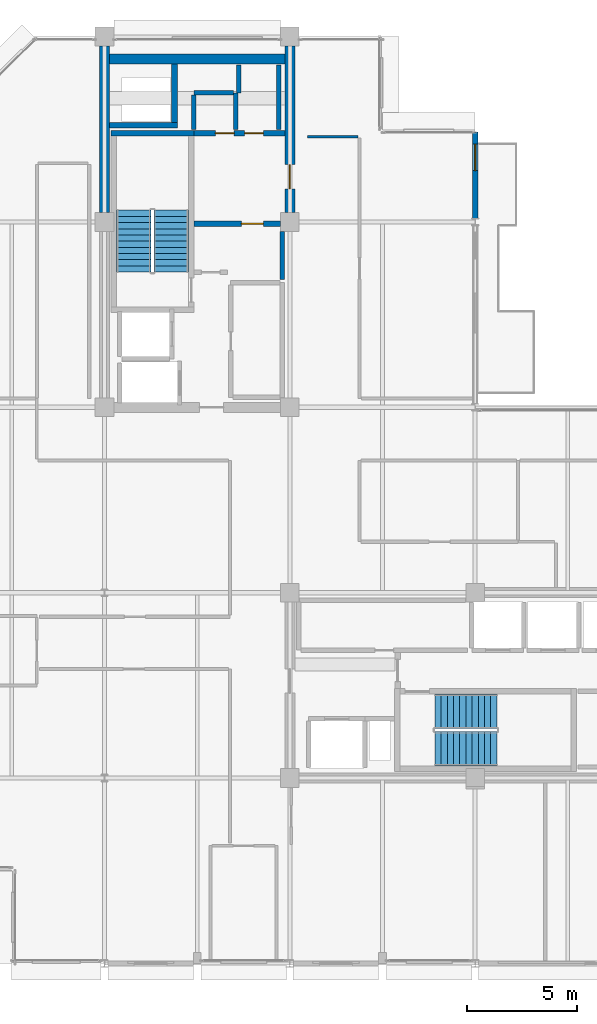
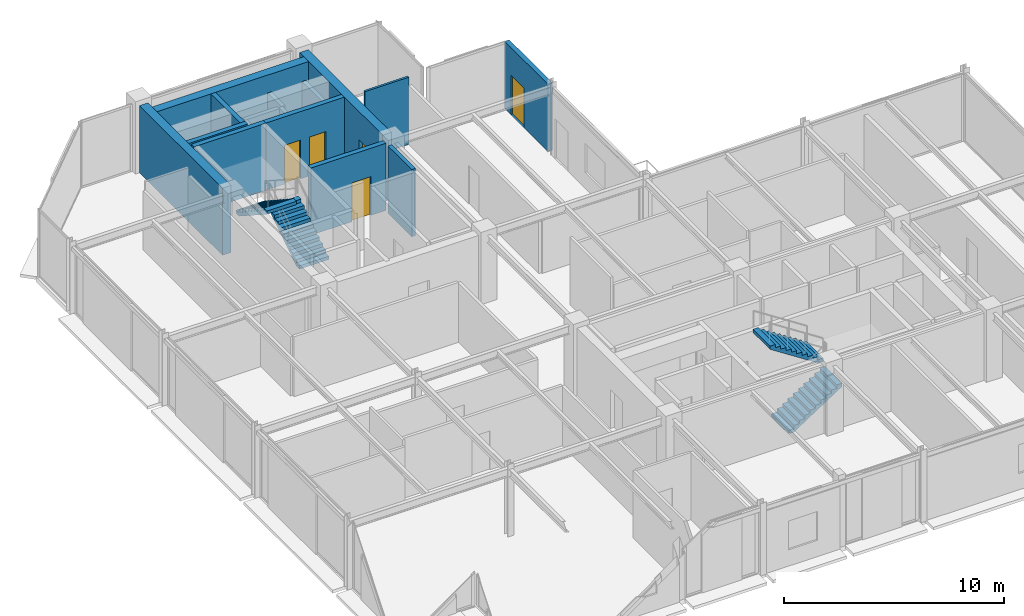
# One storey, part 23 of 27: 16 walls, 5 doors, 4 stair flights, 5 openings, 2 elements without a shape of their own.
"""IFC4 building model written with IfcOpenShell, lengths in metres."""

from ifc_helpers import new_model, si_unit, direction, frame, frame_2d, origin, place, context, subcontext, project, spatial, polyline, rectangle, outline, extrude, material, layer, layer_set, type_object, element, fill, aggregate, save


model = new_model("IFC4")

# Units and contexts
model_context = context("Model", 3, precision=1e-05, world=origin(), true_north=direction((0.0, 1.0)))
body_context = subcontext(model_context, "Body", "Model", "MODEL_VIEW")
ifc_project = project(units=[si_unit("LENGTHUNIT", "METRE"), si_unit("AREAUNIT", "SQUARE_METRE"), si_unit("VOLUMEUNIT", "CUBIC_METRE"), si_unit("PLANEANGLEUNIT", "RADIAN"), si_unit("MASSUNIT", "GRAM", prefix="KILO")], contexts=[model_context])

# Site, building, storey
site_placement = place(None, origin())
site = spatial("IfcSite", under=ifc_project, at=site_placement, CompositionType="ELEMENT")
building_placement = place(site_placement, origin())
building = spatial("IfcBuilding", under=site, at=building_placement, Name="Nerrivon Quay Data Exchange", CompositionType="ELEMENT")
storey_placement = place(building_placement, frame((0.0, 0.0, 266.199951171875)))
storey = spatial("IfcBuildingStorey", under=building, at=storey_placement, Name="L63", CompositionType="ELEMENT", Elevation=266.199951171875)

# Wall, opening, door
ifc_material_1 = material(Name="Architectural terracotta precast concrete N50 (50 MPa)", Category="masonry")
ifc_layer_1 = layer(ifc_material_1, 0.239990234375)
ifc_layer_set_1 = layer_set([ifc_layer_1], Name="Architectural terracotta precast concrete N50 (50 MPa)")
wall_type_1 = type_object("IfcWallType", Name="EW-PREC-240", PredefinedType="STANDARD", material=ifc_layer_set_1)
wall_1_placement = place(storey_placement, frame((25.199951171875, 37.679931640625, 0.0), z_axis=(0.0, 0.0, 1.0), x_axis=(0.0, -1.0, 0.0)))
wall_1 = element("IfcWall", 1, at=wall_1_placement, inside=storey, type_object=wall_type_1, Name="L63 Terrace Host Wall 22", PredefinedType="STANDARD", context=body_context, shape_type="SweptSolid", body=[
    extrude(rectangle(XDim=3.91650390625, YDim=0.239990234375, at=frame_2d((1.958251953125, 0.0))), origin(), (0.0, 0.0, 1.0), 3.72509765625),
])
opening_1_placement = place(wall_1_placement, frame((0.550048828125, 0.0, 0.0)))
opening_1 = element("IfcOpeningElement", 2, at=opening_1_placement, cuts=wall_1, Name="Opening TD1", PredefinedType="OPENING", context=body_context, shape_type="SweptSolid", body=[
    extrude(rectangle(XDim=1.199951171875, YDim=2.199951171875, at=frame_2d((0.60009765625, 1.10009765625))), frame((0.0, 0.1298828125, 0.0), z_axis=(0.0, -1.0, 0.0), x_axis=(1.0, 0.0, 0.0)), (0.0, 0.0, 1.0), 0.260009765625),
])
ifc_material_2 = material(Name="Double-glazed low-E solar control glass", Category="glass")
door_type_1 = type_object("IfcDoorType", Name="DR-TERR-1200x2200", OperationType="NOTDEFINED", PredefinedType="DOOR", material=ifc_material_2)
door_1_placement = place(opening_1_placement, origin())
door_1 = element("IfcDoor", 3, at=door_1_placement, inside=storey, type_object=door_type_1, Name="L63 Outdoor Terrace Access Door 22", OperationType="SINGLE_SWING_LEFT", OverallHeight=2.199951171875, OverallWidth=1.199951171875, PredefinedType="DOOR", context=body_context, shape_type="SweptSolid", body=[
    extrude(rectangle(XDim=1.199951171875, YDim=2.199951171875, at=frame_2d((0.60009765625, 1.10009765625))), frame((0.0, 0.02490234375, 0.0), z_axis=(0.0, -1.0, 0.0), x_axis=(1.0, 0.0, 0.0)), (0.0, 0.0, 1.0), 0.050048828125),
])
fill(opening_1, door_1)

# Walls
ifc_material_3 = material(Name="Concrete N50 (50 MPa)", Category="concrete")
ifc_layer_2 = layer(ifc_material_3, 0.449951171875)
ifc_layer_set_2 = layer_set([ifc_layer_2], Name="Concrete N50 (50 MPa)")
wall_type_2 = type_object("IfcWallType", Name="WALL-CW-550", PredefinedType="SHEAR", material=ifc_layer_set_2)
wall_2_placement = place(storey_placement, frame((8.39990234375, 34.02490234375, 0.0), z_axis=(0.0, 0.0, 1.0), x_axis=(0.0, 1.0, 0.0)))
element("IfcWall", 4, at=wall_2_placement, inside=storey, type_object=wall_type_2, Name="L63 West Split-Core Shear Wall WCW-W2", PredefinedType="SHEAR", context=body_context, shape_type="SweptSolid", body=[
    extrude(rectangle(XDim=7.550048828125, YDim=0.449951171875, at=frame_2d((3.77490234375, 0.0))), origin(), (0.0, 0.0, 1.0), 3.72509765625),
])
wall_3_placement = place(storey_placement, frame((8.625, 40.97509765625, 0.0), z_axis=(0.0, 0.0, 1.0), x_axis=(1.0, 0.0, 0.0)))
element("IfcWall", 5, at=wall_3_placement, inside=storey, type_object=wall_type_2, Name="L63 West Split-Core Shear Wall WCW-N1", PredefinedType="SHEAR", context=body_context, shape_type="SweptSolid", body=[
    extrude(rectangle(XDim=7.949951171875, YDim=0.449951171875, at=frame_2d((3.97509765625, 0.0))), origin(), (0.0, 0.0, 1.0), 3.72509765625),
])

# Wall, opening, door
wall_4_placement = place(storey_placement, frame((16.800048828125, 34.02490234375, 0.0), z_axis=(0.0, 0.0, 1.0), x_axis=(0.0, 1.0, 0.0)))
wall_4 = element("IfcWall", 6, at=wall_4_placement, inside=storey, type_object=wall_type_2, Name="L63 West Split-Core Shear Wall WCW-E1", PredefinedType="SHEAR", context=body_context, shape_type="SweptSolid", body=[
    extrude(rectangle(XDim=7.550048828125, YDim=0.449951171875, at=frame_2d((3.77490234375, 0.0))), origin(), (0.0, 0.0, 1.0), 3.72509765625),
])
opening_2_placement = place(wall_4_placement, frame((1.074951171875, 0.0, 0.0)))
opening_2 = element("IfcOpeningElement", 7, at=opening_2_placement, cuts=wall_4, Name="Opening FD-120", PredefinedType="OPENING", context=body_context, shape_type="SweptSolid", body=[
    extrude(rectangle(XDim=1.10009765625, YDim=2.14990234375, at=frame_2d((0.550048828125, 1.074951171875))), frame((0.0, 0.23486328125, 0.0), z_axis=(0.0, -1.0, 0.0), x_axis=(1.0, 0.0, 0.0)), (0.0, 0.0, 1.0), 0.469970703125),
])
ifc_material_4 = material(Name="Powder-coated galvanized steel sheet", Category="steel")
door_type_2 = type_object("IfcDoorType", Name="DR-FD120-1100", OperationType="NOTDEFINED", PredefinedType="DOOR", material=ifc_material_4)
door_2_placement = place(opening_2_placement, origin())
door_2 = element("IfcDoor", 8, at=door_2_placement, inside=storey, type_object=door_type_2, Name="L63 West Core Lobby Fire Door", OperationType="SINGLE_SWING_LEFT", OverallHeight=2.14990234375, OverallWidth=1.10009765625, PredefinedType="DOOR", context=body_context, shape_type="SweptSolid", body=[
    extrude(rectangle(XDim=1.10009765625, YDim=2.14990234375, at=frame_2d((0.550048828125, 1.074951171875))), frame((0.0, 0.02490234375, 0.0), z_axis=(0.0, -1.0, 0.0), x_axis=(1.0, 0.0, 0.0)), (0.0, 0.0, 1.0), 0.050048828125),
])
fill(opening_2, door_2)

# Walls
ifc_material_5 = material(Name="Gypsum plasterboard on cold-formed framing", Category="gypsum")
ifc_layer_3 = layer(ifc_material_5, 0.199951171875)
ifc_layer_set_3 = layer_set([ifc_layer_3], Name="Gypsum plasterboard on cold-formed framing")
wall_type_3 = type_object("IfcWallType", Name="WALL-FW-200", PredefinedType="PARTITIONING", material=ifc_layer_set_3)
wall_5_placement = place(storey_placement, frame((16.449951171875, 31.0, 0.0), z_axis=(0.0, 0.0, 1.0), x_axis=(0.0, 1.0, 0.0)))
element("IfcWall", 9, at=wall_5_placement, inside=storey, type_object=wall_type_3, Name="L63 Partition Core Equipment Closet", PredefinedType="PARTITIONING", context=body_context, shape_type="SweptSolid", body=[
    extrude(rectangle(XDim=2.169921875, YDim=0.199951171875, at=frame_2d((1.0849609375, 0.0))), origin(), (0.0, 0.0, 1.0), 3.72509765625),
])
wall_6_placement = place(storey_placement, frame((14.35009765625, 37.780029296875, 0.0), z_axis=(0.0, 0.0, 1.0), x_axis=(0.0, 1.0, 0.0)))
element("IfcWall", 10, at=wall_6_placement, inside=storey, type_object=wall_type_3, Name="L63 Partition Equipment Store", PredefinedType="PARTITIONING", context=body_context, shape_type="SweptSolid", body=[
    extrude(rectangle(XDim=1.669921875, YDim=0.199951171875, at=frame_2d((0.8349609375, 0.0))), origin(), (0.0, 0.0, 1.0), 2.775146484375),
])
wall_7_placement = place(storey_placement, frame((14.24609375, 39.449951171875, 0.0), z_axis=(0.0, 0.0, 1.0), x_axis=(-1.0, 0.0, 0.0)))
element("IfcWall", 11, at=wall_7_placement, inside=storey, type_object=wall_type_3, Name="L63 Partition Equipment Store", PredefinedType="PARTITIONING", context=body_context, shape_type="SweptSolid", body=[
    extrude(rectangle(XDim=1.796142578125, YDim=0.199951171875, at=frame_2d((0.89794921875, 0.0))), origin(), (0.0, 0.0, 1.0), 2.775146484375),
])
wall_8_placement = place(storey_placement, frame((12.449951171875, 39.345947265625, 0.0), z_axis=(0.0, 0.0, 1.0), x_axis=(0.0, -1.0, 0.0)))
element("IfcWall", 12, at=wall_8_placement, inside=storey, type_object=wall_type_3, Name="L63 Partition Equipment Store", PredefinedType="PARTITIONING", context=body_context, shape_type="SweptSolid", body=[
    extrude(rectangle(XDim=1.56591796875, YDim=0.199951171875, at=frame_2d((0.782958984375, 0.0))), origin(), (0.0, 0.0, 1.0), 2.775146484375),
])
wall_9_placement = place(storey_placement, frame((16.300048828125, 37.780029296875, 0.0), z_axis=(0.0, 0.0, 1.0), x_axis=(0.0, 1.0, 0.0)))
element("IfcWall", 13, at=wall_9_placement, inside=storey, type_object=wall_type_3, Name="L63 Partition Cleaners Store", PredefinedType="PARTITIONING", context=body_context, shape_type="SweptSolid", body=[
    extrude(rectangle(XDim=2.919921875, YDim=0.199951171875, at=frame_2d((1.4599609375, 0.0))), origin(), (0.0, 0.0, 1.0), 2.775146484375),
])
wall_10_placement = place(storey_placement, frame((14.489990234375, 40.699951171875, 0.0), z_axis=(0.0, 0.0, 1.0), x_axis=(0.0, -1.0, 0.0)))
element("IfcWall", 14, at=wall_10_placement, inside=storey, type_object=wall_type_3, Name="L63 Partition Cleaners Store", PredefinedType="PARTITIONING", context=body_context, shape_type="SweptSolid", body=[
    extrude(rectangle(XDim=1.25, YDim=0.199951171875, at=frame_2d((0.625, 0.0))), origin(), (0.0, 0.0, 1.0), 2.775146484375),
])
ifc_layer_4 = layer(ifc_material_5, 0.1201171875)
ifc_layer_set_4 = layer_set([ifc_layer_4], Name="Gypsum plasterboard on cold-formed framing")
wall_type_4 = type_object("IfcWallType", Name="WALL-PT-120", PredefinedType="PARTITIONING", material=ifc_layer_set_4)
wall_11_placement = place(storey_placement, frame((17.60009765625, 37.4599609375, 0.0), z_axis=(0.0, 0.0, 1.0), x_axis=(1.0, 0.0, 0.0)))
element("IfcWall", 15, at=wall_11_placement, inside=storey, type_object=wall_type_4, Name="L63 Partition Technical Library", PredefinedType="PARTITIONING", context=body_context, shape_type="SweptSolid", body=[
    extrude(rectangle(XDim=2.2998046875, YDim=0.1201171875, at=frame_2d((1.14990234375, 0.0))), origin(), (0.0, 0.0, 1.0), 3.72509765625),
])
ifc_layer_5 = layer(ifc_material_3, 0.25)
ifc_layer_set_5 = layer_set([ifc_layer_5], Name="Concrete N50 (50 MPa)")
wall_type_5 = type_object("IfcWallType", Name="WALL-SW-250", PredefinedType="SHEAR", material=ifc_layer_set_5)
wall_12_placement = place(storey_placement, frame((12.449951171875, 37.625, 0.0), z_axis=(0.0, 0.0, 1.0), x_axis=(-1.0, 0.0, 0.0)))
element("IfcWall", 16, at=wall_12_placement, inside=storey, type_object=wall_type_5, Name="L63 ST01 Structural Stair Core Wall FAR", PredefinedType="SHEAR", context=body_context, shape_type="SweptSolid", body=[
    extrude(rectangle(XDim=3.75, YDim=0.25, at=frame_2d((1.875, 0.0))), origin(), (0.0, 0.0, 1.0), 3.72509765625),
])
wall_13_placement = place(storey_placement, frame((8.625, 37.97509765625, 0.0), z_axis=(0.0, 0.0, 1.0), x_axis=(1.0, 0.0, 0.0)))
element("IfcWall", 17, at=wall_13_placement, inside=storey, type_object=wall_type_5, Name="L63 West Core MEP Riser Shaft Wall S", PredefinedType="SHEAR", context=body_context, shape_type="SweptSolid", body=[
    extrude(rectangle(XDim=3.074951171875, YDim=0.25, at=frame_2d((1.53759765625, 0.0))), origin(), (0.0, 0.0, 1.0), 3.72509765625),
])
wall_14_placement = place(storey_placement, frame((11.574951171875, 38.10009765625, 0.0), z_axis=(0.0, 0.0, 1.0), x_axis=(0.0, 1.0, 0.0)))
element("IfcWall", 18, at=wall_14_placement, inside=storey, type_object=wall_type_5, Name="L63 West Core MEP Riser Shaft Wall E", PredefinedType="SHEAR", context=body_context, shape_type="SweptSolid", body=[
    extrude(rectangle(XDim=2.64990234375, YDim=0.25, at=frame_2d((1.324951171875, 0.0))), origin(), (0.0, 0.0, 1.0), 3.72509765625),
])

# Wall, opening, door
wall_15_placement = place(storey_placement, frame((12.449951171875, 33.52001953125, 0.0), z_axis=(0.0, 0.0, 1.0), x_axis=(1.0, 0.0, 0.0)))
wall_15 = element("IfcWall", 19, at=wall_15_placement, inside=storey, type_object=wall_type_5, Name="L63 West Lobby Smoke-Stop Wall", PredefinedType="SHEAR", context=body_context, shape_type="SweptSolid", body=[
    extrude(rectangle(XDim=3.925048828125, YDim=0.25, at=frame_2d((1.96240234375, 0.0))), origin(), (0.0, 0.0, 1.0), 3.72509765625),
])
opening_3_placement = place(wall_15_placement, frame((2.14990234375, 0.0, 0.0)))
opening_3 = element("IfcOpeningElement", 20, at=opening_3_placement, cuts=wall_15, Name="Opening FD-60", PredefinedType="OPENING", context=body_context, shape_type="SweptSolid", body=[
    extrude(rectangle(XDim=1.0, YDim=2.14990234375, at=frame_2d((0.5, 1.074951171875))), frame((0.0, 0.135009765625, 0.0), z_axis=(0.0, -1.0, 0.0), x_axis=(1.0, 0.0, 0.0)), (0.0, 0.0, 1.0), 0.27001953125),
])
ifc_material_6 = material(Name="Engineered hardwood timber", Category="wood")
door_type_3 = type_object("IfcDoorType", Name="DR-FD60-1000", OperationType="NOTDEFINED", PredefinedType="DOOR", material=ifc_material_6)
door_3_placement = place(opening_3_placement, origin())
door_3 = element("IfcDoor", 21, at=door_3_placement, inside=storey, type_object=door_type_3, Name="L63 West Firefighting Lobby Fire Door", OperationType="SINGLE_SWING_LEFT", OverallHeight=2.14990234375, OverallWidth=1.0, PredefinedType="DOOR", context=body_context, shape_type="SweptSolid", body=[
    extrude(rectangle(XDim=1.0, YDim=2.14990234375, at=frame_2d((0.5, 1.074951171875))), frame((0.0, 0.02490234375, 0.0), z_axis=(0.0, -1.0, 0.0), x_axis=(1.0, 0.0, 0.0)), (0.0, 0.0, 1.0), 0.050048828125),
])
fill(opening_3, door_3)

# Wall, openings, doors
wall_16_placement = place(storey_placement, frame((12.449951171875, 37.625, 0.0), z_axis=(0.0, 0.0, 1.0), x_axis=(1.0, 0.0, 0.0)))
wall_16 = element("IfcWall", 22, at=wall_16_placement, inside=storey, type_object=wall_type_5, Name="L63 West Firefighting Lobby Wall", PredefinedType="SHEAR", context=body_context, shape_type="SweptSolid", body=[
    extrude(rectangle(XDim=4.125, YDim=0.25, at=frame_2d((2.0625, 0.0))), origin(), (0.0, 0.0, 1.0), 3.72509765625),
])
opening_4_placement = place(wall_16_placement, frame((0.9775390625, 0.0, 0.0)))
opening_4 = element("IfcOpeningElement", 23, at=opening_4_placement, cuts=wall_16, Name="Opening FD-60S", PredefinedType="OPENING", context=body_context, shape_type="SweptSolid", body=[
    extrude(rectangle(XDim=0.85009765625, YDim=2.14990234375, at=frame_2d((0.425048828125, 1.074951171875))), frame((0.0, 0.135009765625, 0.0), z_axis=(0.0, -1.0, 0.0), x_axis=(1.0, 0.0, 0.0)), (0.0, 0.0, 1.0), 0.27001953125),
])
opening_5_placement = place(wall_16_placement, frame((2.297607421875, 0.0, 0.0)))
opening_5 = element("IfcOpeningElement", 24, at=opening_5_placement, cuts=wall_16, Name="Opening FD-60S", PredefinedType="OPENING", context=body_context, shape_type="SweptSolid", body=[
    extrude(rectangle(XDim=0.85009765625, YDim=2.14990234375, at=frame_2d((0.425048828125, 1.074951171875))), frame((0.0, 0.135009765625, 0.0), z_axis=(0.0, -1.0, 0.0), x_axis=(1.0, 0.0, 0.0)), (0.0, 0.0, 1.0), 0.27001953125),
])
door_type_4 = type_object("IfcDoorType", Name="DR-FD60-850", OperationType="NOTDEFINED", PredefinedType="DOOR", material=ifc_material_6)
door_4_placement = place(opening_4_placement, origin())
door_4 = element("IfcDoor", 25, at=door_4_placement, inside=storey, type_object=door_type_4, Name="L63 Door Equipment Store", OperationType="SINGLE_SWING_LEFT", OverallHeight=2.14990234375, OverallWidth=0.85009765625, PredefinedType="DOOR", context=body_context, shape_type="SweptSolid", body=[
    extrude(rectangle(XDim=0.85009765625, YDim=2.14990234375, at=frame_2d((0.425048828125, 1.074951171875))), frame((0.0, 0.02490234375, 0.0), z_axis=(0.0, -1.0, 0.0), x_axis=(1.0, 0.0, 0.0)), (0.0, 0.0, 1.0), 0.050048828125),
])
fill(opening_4, door_4)
door_5_placement = place(opening_5_placement, origin())
door_5 = element("IfcDoor", 26, at=door_5_placement, inside=storey, type_object=door_type_4, Name="L63 Door Cleaners Store", OperationType="SINGLE_SWING_RIGHT", OverallHeight=2.14990234375, OverallWidth=0.85009765625, PredefinedType="DOOR", context=body_context, shape_type="SweptSolid", body=[
    extrude(rectangle(XDim=0.85009765625, YDim=2.14990234375, at=frame_2d((0.425048828125, 1.074951171875))), frame((0.0, 0.02490234375, 0.0), z_axis=(0.0, -1.0, 0.0), x_axis=(1.0, 0.0, 0.0)), (0.0, 0.0, 1.0), 0.050048828125),
])
fill(opening_5, door_5)

# Stair, stair flights
stair_type = type_object("IfcStairType", Name="STAIR-DOG-40", PredefinedType="HALF_TURN_STAIR", material=ifc_material_3)
stair_1_placement = place(storey_placement, origin())
stair_1 = element("IfcStair", 27, at=stair_1_placement, inside=storey, type_object=stair_type, Name="L63 West Core Fire Stair ST01", PredefinedType="HALF_TURN_STAIR")
stair_flight_type = type_object("IfcStairFlightType", Name="FLIGHT-DOG-40", PredefinedType="STRAIGHT", material=ifc_material_3)
stair_flight_1_placement = place(storey_placement, frame((11.425048828125, 31.330078125, 0.0), z_axis=(0.0, 0.0, 1.0), x_axis=(0.0, 1.0, 0.0)))
stair_flight_1 = element("IfcStairFlight", 28, at=stair_flight_1_placement, type_object=stair_flight_type, Name="ST01 flight 1", NumberOfRisers=11, NumberOfTreads=10, PredefinedType="STRAIGHT", RiserHeight=0.181818182, TreadLength=0.28, context=body_context, shape_type="SweptSolid", body=[
    extrude(outline(polyline([(0.0, 0.0), (0.0, 0.181884765625), (0.280029296875, 0.181884765625), (0.280029296875, 0.363525390625), (0.56005859375, 0.363525390625), (0.56005859375, 0.54541015625), (0.840087890625, 0.54541015625), (0.840087890625, 0.727294921875), (1.1201171875, 0.727294921875), (1.1201171875, 0.9091796875), (1.39990234375, 0.9091796875), (1.39990234375, 1.0908203125), (1.679931640625, 1.0908203125), (1.679931640625, 1.272705078125), (1.9599609375, 1.272705078125), (1.9599609375, 1.45458984375), (2.239990234375, 1.45458984375), (2.239990234375, 1.636474609375), (2.52001953125, 1.636474609375), (2.52001953125, 1.818115234375), (2.800048828125, 1.818115234375), (2.800048828125, 2.0), (2.800048828125, 1.639404296875), (0.275146484375, 0.0), (0.0, 0.0)])), frame((0.0, 0.77490234375, 0.0), z_axis=(0.0, -1.0, 0.0), x_axis=(1.0, 0.0, 0.0)), (0.0, 0.0, 1.0), 1.550048828125),
])
stair_flight_2_placement = place(storey_placement, frame((9.72509765625, 34.1298828125, 2.0), z_axis=(0.0, 0.0, 1.0), x_axis=(0.0, -1.0, 0.0)))
stair_flight_2 = element("IfcStairFlight", 29, at=stair_flight_2_placement, type_object=stair_flight_type, Name="ST01 flight 2", NumberOfRisers=11, NumberOfTreads=10, PredefinedType="STRAIGHT", RiserHeight=0.181818182, TreadLength=0.28, context=body_context, shape_type="SweptSolid", body=[
    extrude(outline(polyline([(0.0, 0.0), (0.0, 0.181884765625), (0.280029296875, 0.181884765625), (0.280029296875, 0.363525390625), (0.56005859375, 0.363525390625), (0.56005859375, 0.54541015625), (0.840087890625, 0.54541015625), (0.840087890625, 0.727294921875), (1.1201171875, 0.727294921875), (1.1201171875, 0.9091796875), (1.39990234375, 0.9091796875), (1.39990234375, 1.0908203125), (1.679931640625, 1.0908203125), (1.679931640625, 1.272705078125), (1.9599609375, 1.272705078125), (1.9599609375, 1.45458984375), (2.239990234375, 1.45458984375), (2.239990234375, 1.636474609375), (2.52001953125, 1.636474609375), (2.52001953125, 1.818115234375), (2.800048828125, 1.818115234375), (2.800048828125, 2.0), (2.800048828125, 1.639404296875), (0.275146484375, 0.0), (0.0, 0.0)])), frame((0.0, 0.77490234375, 0.0), z_axis=(0.0, -1.0, 0.0), x_axis=(1.0, 0.0, 0.0)), (0.0, 0.0, 1.0), 1.550048828125),
])
aggregate(stair_1, [stair_flight_1, stair_flight_2])

stair_2_placement = place(storey_placement, origin())
stair_2 = element("IfcStair", 30, at=stair_2_placement, inside=storey, type_object=stair_type, Name="L63 East Core Fire Stair ST02", PredefinedType="HALF_TURN_STAIR")
stair_flight_3_placement = place(storey_placement, frame((23.3798828125, 9.72509765625, 0.0), z_axis=(0.0, 0.0, 1.0), x_axis=(1.0, 0.0, 0.0)))
stair_flight_3 = element("IfcStairFlight", 31, at=stair_flight_3_placement, type_object=stair_flight_type, Name="ST02 flight 1", NumberOfRisers=11, NumberOfTreads=10, PredefinedType="STRAIGHT", RiserHeight=0.181818182, TreadLength=0.28, context=body_context, shape_type="SweptSolid", body=[
    extrude(outline(polyline([(0.0, 0.0), (0.0, 0.181884765625), (0.280029296875, 0.181884765625), (0.280029296875, 0.363525390625), (0.56005859375, 0.363525390625), (0.56005859375, 0.54541015625), (0.840087890625, 0.54541015625), (0.840087890625, 0.727294921875), (1.1201171875, 0.727294921875), (1.1201171875, 0.9091796875), (1.39990234375, 0.9091796875), (1.39990234375, 1.0908203125), (1.679931640625, 1.0908203125), (1.679931640625, 1.272705078125), (1.9599609375, 1.272705078125), (1.9599609375, 1.45458984375), (2.239990234375, 1.45458984375), (2.239990234375, 1.636474609375), (2.52001953125, 1.636474609375), (2.52001953125, 1.818115234375), (2.800048828125, 1.818115234375), (2.800048828125, 2.0), (2.800048828125, 1.639404296875), (0.275146484375, 0.0), (0.0, 0.0)])), frame((0.0, 0.77490234375, 0.0), z_axis=(0.0, -1.0, 0.0), x_axis=(1.0, 0.0, 0.0)), (0.0, 0.0, 1.0), 1.550048828125),
])
stair_flight_4_placement = place(storey_placement, frame((26.179931640625, 11.425048828125, 2.0), z_axis=(0.0, 0.0, 1.0), x_axis=(-1.0, 0.0, 0.0)))
stair_flight_4 = element("IfcStairFlight", 32, at=stair_flight_4_placement, type_object=stair_flight_type, Name="ST02 flight 2", NumberOfRisers=11, NumberOfTreads=10, PredefinedType="STRAIGHT", RiserHeight=0.181818182, TreadLength=0.28, context=body_context, shape_type="SweptSolid", body=[
    extrude(outline(polyline([(0.0, 0.0), (0.0, 0.181884765625), (0.280029296875, 0.181884765625), (0.280029296875, 0.363525390625), (0.56005859375, 0.363525390625), (0.56005859375, 0.54541015625), (0.840087890625, 0.54541015625), (0.840087890625, 0.727294921875), (1.1201171875, 0.727294921875), (1.1201171875, 0.9091796875), (1.39990234375, 0.9091796875), (1.39990234375, 1.0908203125), (1.679931640625, 1.0908203125), (1.679931640625, 1.272705078125), (1.9599609375, 1.272705078125), (1.9599609375, 1.45458984375), (2.239990234375, 1.45458984375), (2.239990234375, 1.636474609375), (2.52001953125, 1.636474609375), (2.52001953125, 1.818115234375), (2.800048828125, 1.818115234375), (2.800048828125, 2.0), (2.800048828125, 1.639404296875), (0.275146484375, 0.0), (0.0, 0.0)])), frame((0.0, 0.77490234375, 0.0), z_axis=(0.0, -1.0, 0.0), x_axis=(1.0, 0.0, 0.0)), (0.0, 0.0, 1.0), 1.550048828125),
])
aggregate(stair_2, [stair_flight_3, stair_flight_4])

save(model, "model.ifc")
